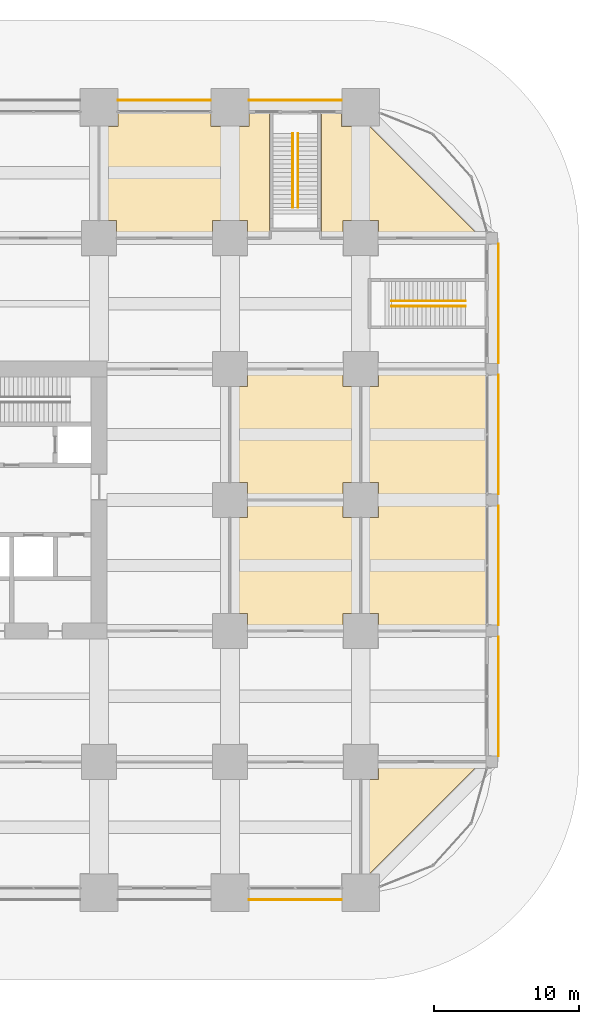
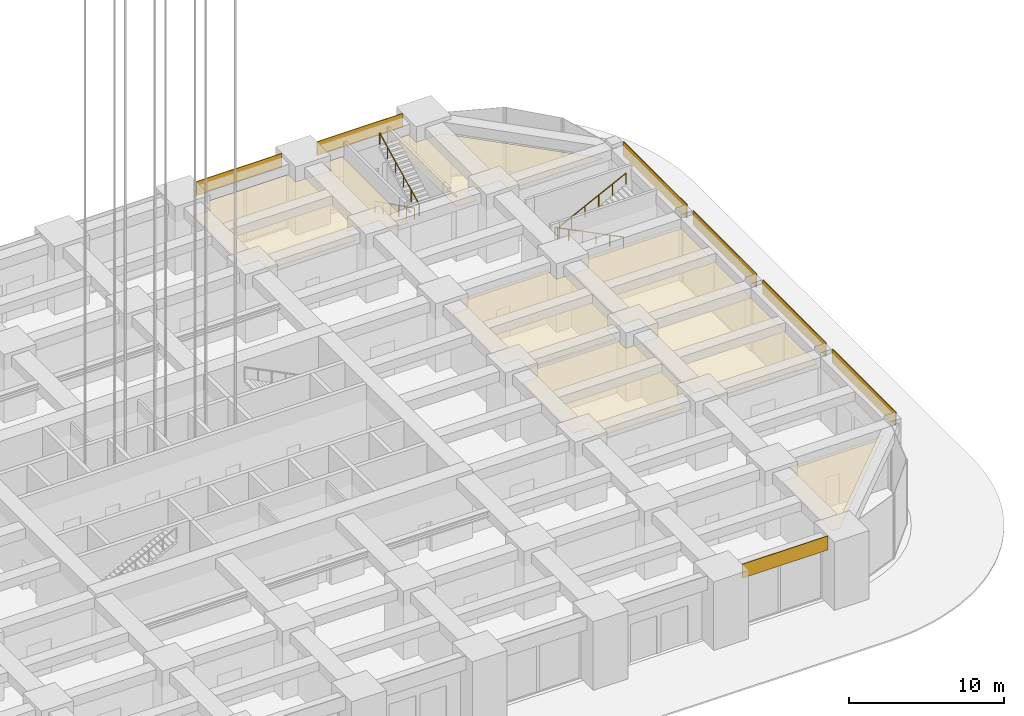
# One storey, part 47 of 56: 13 coverings, 4 railings.
"""IFC4 building model written with IfcOpenShell, lengths in metres."""

from ifc_helpers import new_model, si_unit, direction, frame, frame_2d, origin, origin_2d, place, context, subcontext, project, spatial, polyline, rectangle, circle, outline, extrude, material, layer, layer_set, type_object, element, save


model = new_model("IFC4")

# Units and contexts
model_context = context("Model", 3, precision=1e-05, world=origin(), true_north=direction((0.0, 1.0)))
body_context = subcontext(model_context, "Body", "Model", "MODEL_VIEW")
ifc_project = project(units=[si_unit("LENGTHUNIT", "METRE"), si_unit("AREAUNIT", "SQUARE_METRE"), si_unit("VOLUMEUNIT", "CUBIC_METRE"), si_unit("PLANEANGLEUNIT", "RADIAN"), si_unit("MASSUNIT", "GRAM", prefix="KILO")], contexts=[model_context])

# Site, building, storey
site_placement = place(None, origin())
site = spatial("IfcSite", under=ifc_project, at=site_placement, CompositionType="ELEMENT")
building_placement = place(site_placement, origin())
building = spatial("IfcBuilding", under=site, at=building_placement, Name="Zorevar Civic Tower", CompositionType="ELEMENT")
storey_placement = place(building_placement, origin())
storey = spatial("IfcBuildingStorey", under=building, at=storey_placement, Name="L00", CompositionType="ELEMENT", Elevation=0.0)

# Covering
ifc_material_1 = material(Name="Perforated black aluminium acoustic panels", Category="aluminium")
ifc_layer_1 = layer(ifc_material_1, 0.0400390625)
ifc_layer_set_1 = layer_set([ifc_layer_1], Name="Acoustic ceiling SC2")
covering_type_1 = type_object("IfcCoveringType", Name="Acoustic ceiling SC2", PredefinedType="CEILING", material=ifc_layer_set_1)
covering_1_placement = place(storey_placement, frame((0.0, 0.0, 4.199951171875)))
element("IfcCovering", 1, at=covering_1_placement, inside=storey, type_object=covering_type_1, Name="Ceiling L00-27", PredefinedType="CEILING", context=body_context, shape_type="SweptSolid", body=[
    extrude(outline(polyline([(71.64990234375, 27.409912109375), (71.590087890625, 27.409912109375), (71.590087890625, 26.590087890625), (71.64990234375, 26.590087890625), (71.64990234375, 18.409912109375), (71.590087890625, 18.409912109375), (71.590087890625, 18.06005859375), (64.2099609375, 18.06005859375), (64.2099609375, 19.2099609375), (63.06005859375, 19.2099609375), (63.06005859375, 25.7900390625), (64.2099609375, 25.7900390625), (64.2099609375, 28.2099609375), (63.06005859375, 28.2099609375), (63.06005859375, 34.7900390625), (64.2099609375, 34.7900390625), (64.2099609375, 35.93994140625), (71.590087890625, 35.93994140625), (71.590087890625, 35.590087890625), (71.64990234375, 35.590087890625), (71.64990234375, 27.409912109375)])), origin(), (0.0, 0.0, 1.0), 0.0400390625),
])

# Railings
ifc_material_2 = material(Name="Black steel handrail", Category="steel")
railing_type = type_object("IfcRailingType", Name="Handrail HR1 900", PredefinedType="HANDRAIL", material=ifc_material_2)
railing_1_placement = place(storey_placement, frame((70.199951171875, 40.675048828125, 0.14990234375)))
element("IfcRailing", 2, at=railing_1_placement, inside=storey, type_object=railing_type, Name="Handrail HR1 PS2 L00", PredefinedType="HANDRAIL", context=body_context, shape_type="SweptSolid", body=[
    extrude(circle(Radius=0.02392578125, at=origin_2d()), frame((0.0, 0.0, 0.8759765625), z_axis=(-0.894418627299, 0.0, 0.447230722492), x_axis=(0.0, -1.0, 0.0)), (0.0, 0.0, 1.0), 5.701904296875),
    extrude(circle(Radius=0.02099609375, at=origin_2d()), origin(), (0.0, 0.0, 1.0), 0.851806640625),
    extrude(circle(Radius=0.02099609375, at=origin_2d()), frame((-1.02001953125, 0.0, 0.510009765625)), (0.0, 0.0, 1.0), 0.851806640625),
    extrude(circle(Radius=0.02099609375, at=origin_2d()), frame((-2.0400390625, 0.0, 1.02001953125)), (0.0, 0.0, 1.0), 0.851806640625),
    extrude(circle(Radius=0.02099609375, at=origin_2d()), frame((-3.059814453125, 0.0, 1.530029296875)), (0.0, 0.0, 1.0), 0.851806640625),
    extrude(circle(Radius=0.02099609375, at=origin_2d()), frame((-4.079833984375, 0.0, 2.0400390625)), (0.0, 0.0, 1.0), 0.851806640625),
    extrude(circle(Radius=0.02099609375, at=origin_2d()), frame((-5.099853515625, 0.0, 2.550048828125)), (0.0, 0.0, 1.0), 0.851806640625),
])
railing_2_placement = place(storey_placement, frame((65.10009765625, 40.324951171875, 2.85009765625)))
element("IfcRailing", 3, at=railing_2_placement, inside=storey, type_object=railing_type, Name="Handrail HR1 PS2 L00", PredefinedType="HANDRAIL", context=body_context, shape_type="SweptSolid", body=[
    extrude(circle(Radius=0.02392578125, at=origin_2d()), frame((0.0, 0.0, 0.8759765625), z_axis=(0.894435754537, 0.0, 0.447196468016), x_axis=(0.0, 1.0, 0.0)), (0.0, 0.0, 1.0), 5.70166015625),
    extrude(circle(Radius=0.02099609375, at=origin_2d()), origin(), (0.0, 0.0, 1.0), 0.851806640625),
    extrude(circle(Radius=0.02099609375, at=origin_2d()), frame((1.02001953125, 0.0, 0.510009765625)), (0.0, 0.0, 1.0), 0.851806640625),
    extrude(circle(Radius=0.02099609375, at=origin_2d()), frame((2.0400390625, 0.0, 1.02001953125)), (0.0, 0.0, 1.0), 0.851806640625),
    extrude(circle(Radius=0.02099609375, at=origin_2d()), frame((3.059814453125, 0.0, 1.52978515625)), (0.0, 0.0, 1.0), 0.851806640625),
    extrude(circle(Radius=0.02099609375, at=origin_2d()), frame((4.079833984375, 0.0, 2.039794921875)), (0.0, 0.0, 1.0), 0.851806640625),
    extrude(circle(Radius=0.02099609375, at=origin_2d()), frame((5.099853515625, 0.0, 2.5498046875)), (0.0, 0.0, 1.0), 0.851806640625),
])
railing_3_placement = place(storey_placement, frame((58.324951171875, 52.199951171875, 0.14990234375)))
element("IfcRailing", 4, at=railing_3_placement, inside=storey, type_object=railing_type, Name="Handrail HR1 PS3 L00", PredefinedType="HANDRAIL", context=body_context, shape_type="SweptSolid", body=[
    extrude(circle(Radius=0.02392578125, at=origin_2d()), frame((0.0, 0.0, 0.8759765625), z_axis=(0.0, -0.894418627299, 0.447230722492), x_axis=(1.0, 0.0, 0.0)), (0.0, 0.0, 1.0), 5.701904296875),
    extrude(circle(Radius=0.02099609375, at=origin_2d()), origin(), (0.0, 0.0, 1.0), 0.851806640625),
    extrude(circle(Radius=0.02099609375, at=origin_2d()), frame((0.0, -1.02001953125, 0.510009765625)), (0.0, 0.0, 1.0), 0.851806640625),
    extrude(circle(Radius=0.02099609375, at=origin_2d()), frame((0.0, -2.0400390625, 1.02001953125)), (0.0, 0.0, 1.0), 0.851806640625),
    extrude(circle(Radius=0.02099609375, at=origin_2d()), frame((0.0, -3.059814453125, 1.530029296875)), (0.0, 0.0, 1.0), 0.851806640625),
    extrude(circle(Radius=0.02099609375, at=origin_2d()), frame((0.0, -4.079833984375, 2.0400390625)), (0.0, 0.0, 1.0), 0.851806640625),
    extrude(circle(Radius=0.02099609375, at=origin_2d()), frame((0.0, -5.099853515625, 2.550048828125)), (0.0, 0.0, 1.0), 0.851806640625),
])
railing_4_placement = place(storey_placement, frame((58.675048828125, 47.10009765625, 2.85009765625)))
element("IfcRailing", 5, at=railing_4_placement, inside=storey, type_object=railing_type, Name="Handrail HR1 PS3 L00", PredefinedType="HANDRAIL", context=body_context, shape_type="SweptSolid", body=[
    extrude(circle(Radius=0.02392578125, at=origin_2d()), frame((0.0, 0.0, 0.8759765625), z_axis=(0.0, 0.894435754537, 0.447196468016), x_axis=(-1.0, 0.0, 0.0)), (0.0, 0.0, 1.0), 5.70166015625),
    extrude(circle(Radius=0.02099609375, at=origin_2d()), origin(), (0.0, 0.0, 1.0), 0.851806640625),
    extrude(circle(Radius=0.02099609375, at=origin_2d()), frame((0.0, 1.02001953125, 0.510009765625)), (0.0, 0.0, 1.0), 0.851806640625),
    extrude(circle(Radius=0.02099609375, at=origin_2d()), frame((0.0, 2.0400390625, 1.02001953125)), (0.0, 0.0, 1.0), 0.851806640625),
    extrude(circle(Radius=0.02099609375, at=origin_2d()), frame((0.0, 3.059814453125, 1.52978515625)), (0.0, 0.0, 1.0), 0.851806640625),
    extrude(circle(Radius=0.02099609375, at=origin_2d()), frame((0.0, 4.079833984375, 2.039794921875)), (0.0, 0.0, 1.0), 0.851806640625),
    extrude(circle(Radius=0.02099609375, at=origin_2d()), frame((0.0, 5.099853515625, 2.5498046875)), (0.0, 0.0, 1.0), 0.851806640625),
])

# Coverings
ifc_material_3 = material(Name="Black anodised aluminium spandrel panel", Category="aluminium")
ifc_layer_2 = layer(ifc_material_3, 0.050048828125)
ifc_layer_set_2 = layer_set([ifc_layer_2], Name="Spandrel cladding SP1")
covering_type_2 = type_object("IfcCoveringType", Name="Spandrel cladding SP1", PredefinedType="CLADDING", material=ifc_layer_set_2)
for number, where, z_axis, x_axis, name in (
    (6, (55.300048828125, -0.47509765625, 4.300048828125), (0.0, 0.0, 1.0), (1.0, 0.0, 0.0), "Spandrel cladding L01"),
    (7, (46.300048828125, 54.47509765625, 4.300048828125), (0.0, 0.0, 1.0), (1.0, 0.0, 0.0), "Spandrel cladding L01"),
    (8, (55.300048828125, 54.47509765625, 4.300048828125), (0.0, 0.0, 1.0), (1.0, 0.0, 0.0), "Spandrel cladding L01"),
):
    element("IfcCovering", number, at=place(storey_placement, frame(where, z_axis=z_axis, x_axis=x_axis)), inside=storey, type_object=covering_type_2, Name=name, PredefinedType="CLADDING", context=body_context, shape_type="SweptSolid", body=[
        extrude(rectangle(XDim=6.39990234375, YDim=0.050048828125, at=frame_2d((3.199951171875, 0.0))), origin(), (0.0, 0.0, 1.0), 1.099853515625),
    ])
for number, where, z_axis, x_axis, name in (
    (9, (72.47509765625, 9.39990234375, 4.300048828125), (0.0, 0.0, 1.0), (0.0, 1.0, 0.0), "Spandrel cladding L01"),
    (10, (72.47509765625, 18.39990234375, 4.300048828125), (0.0, 0.0, 1.0), (0.0, 1.0, 0.0), "Spandrel cladding L01"),
    (11, (72.47509765625, 27.39990234375, 4.300048828125), (0.0, 0.0, 1.0), (0.0, 1.0, 0.0), "Spandrel cladding L01"),
    (12, (72.47509765625, 36.39990234375, 4.300048828125), (0.0, 0.0, 1.0), (0.0, 1.0, 0.0), "Spandrel cladding L01"),
):
    element("IfcCovering", number, at=place(storey_placement, frame(where, z_axis=z_axis, x_axis=x_axis)), inside=storey, type_object=covering_type_2, Name=name, PredefinedType="CLADDING", context=body_context, shape_type="SweptSolid", body=[
        extrude(rectangle(XDim=8.2001953125, YDim=0.050048828125, at=frame_2d((4.10009765625, 0.0))), origin(), (0.0, 0.0, 1.0), 1.099853515625),
    ])
ifc_material_4 = material(Name="Mineral fibre tiles on a concealed grid")
ifc_layer_3 = layer(ifc_material_4, 0.02001953125)
ifc_layer_set_3 = layer_set([ifc_layer_3], Name="Suspended ceiling SC1")
covering_type_3 = type_object("IfcCoveringType", Name="Suspended ceiling SC1", PredefinedType="CEILING", material=ifc_layer_set_3)
covering_2_placement = place(storey_placement, frame((0.0, 0.0, 4.199951171875)))
element("IfcCovering", 13, at=covering_2_placement, inside=storey, type_object=covering_type_3, Name="Ceiling L00-25", PredefinedType="CEILING", context=body_context, shape_type="SweptSolid", body=[
    extrude(outline(polyline([(62.93994140625, 19.2099609375), (61.7900390625, 19.2099609375), (61.7900390625, 18.06005859375), (55.2099609375, 18.06005859375), (55.2099609375, 19.2099609375), (54.06005859375, 19.2099609375), (54.06005859375, 25.7900390625), (55.2099609375, 25.7900390625), (55.2099609375, 26.93994140625), (61.7900390625, 26.93994140625), (61.7900390625, 25.7900390625), (62.93994140625, 25.7900390625), (62.93994140625, 19.2099609375)])), origin(), (0.0, 0.0, 1.0), 0.02001953125),
])
covering_3_placement = place(storey_placement, frame((0.0, 0.0, 4.199951171875)))
element("IfcCovering", 14, at=covering_3_placement, inside=storey, type_object=covering_type_3, Name="Ceiling L00-26", PredefinedType="CEILING", context=body_context, shape_type="SweptSolid", body=[
    extrude(outline(polyline([(62.93994140625, 28.2099609375), (61.7900390625, 28.2099609375), (61.7900390625, 27.06005859375), (55.2099609375, 27.06005859375), (55.2099609375, 28.2099609375), (54.06005859375, 28.2099609375), (54.06005859375, 34.7900390625), (55.2099609375, 34.7900390625), (55.2099609375, 35.93994140625), (61.7900390625, 35.93994140625), (61.7900390625, 34.7900390625), (62.93994140625, 34.7900390625), (62.93994140625, 28.2099609375)])), origin(), (0.0, 0.0, 1.0), 0.02001953125),
])
covering_4_placement = place(storey_placement, frame((0.0, 0.0, 4.199951171875)))
element("IfcCovering", 15, at=covering_4_placement, inside=storey, type_object=covering_type_3, Name="Ceiling L00-32", PredefinedType="CEILING", context=body_context, shape_type="SweptSolid", body=[
    extrude(outline(polyline([(56.715087890625, 53.64990234375), (56.715087890625, 45.06005859375), (55.2099609375, 45.06005859375), (55.2099609375, 46.2099609375), (52.7900390625, 46.2099609375), (52.7900390625, 45.06005859375), (46.2099609375, 45.06005859375), (46.2099609375, 46.2099609375), (45.06005859375, 46.2099609375), (45.06005859375, 52.68994140625), (46.31005859375, 52.68994140625), (46.31005859375, 53.64990234375), (52.68994140625, 53.64990234375), (52.68994140625, 52.68994140625), (55.31005859375, 52.68994140625), (55.31005859375, 53.64990234375), (56.715087890625, 53.64990234375)])), origin(), (0.0, 0.0, 1.0), 0.02001953125),
])
covering_5_placement = place(storey_placement, frame((0.0, 0.0, 4.199951171875)))
element("IfcCovering", 16, at=covering_5_placement, inside=storey, type_object=covering_type_3, Name="Ceiling L00-33", PredefinedType="CEILING", context=body_context, shape_type="SweptSolid", body=[
    extrude(outline(polyline([(64.2099609375, 45.06005859375), (64.2099609375, 46.2099609375), (61.7900390625, 46.2099609375), (61.7900390625, 45.06005859375), (60.284912109375, 45.06005859375), (60.284912109375, 53.64990234375), (61.68994140625, 53.64990234375), (61.68994140625, 52.68994140625), (63.602783203125, 52.68994140625), (71.23291015625, 45.06005859375), (64.2099609375, 45.06005859375)])), origin(), (0.0, 0.0, 1.0), 0.02001953125),
])
covering_6_placement = place(storey_placement, frame((0.0, 0.0, 4.199951171875)))
element("IfcCovering", 17, at=covering_6_placement, inside=storey, type_object=covering_type_3, Name="Ceiling L00-38", PredefinedType="CEILING", context=body_context, shape_type="SweptSolid", body=[
    extrude(outline(polyline([(63.06005859375, 1.31005859375), (63.06005859375, 7.7900390625), (64.2099609375, 7.7900390625), (64.2099609375, 8.93994140625), (71.23291015625, 8.93994140625), (63.602783203125, 1.31005859375), (63.06005859375, 1.31005859375)])), origin(), (0.0, 0.0, 1.0), 0.02001953125),
])

save(model, "model.ifc")
